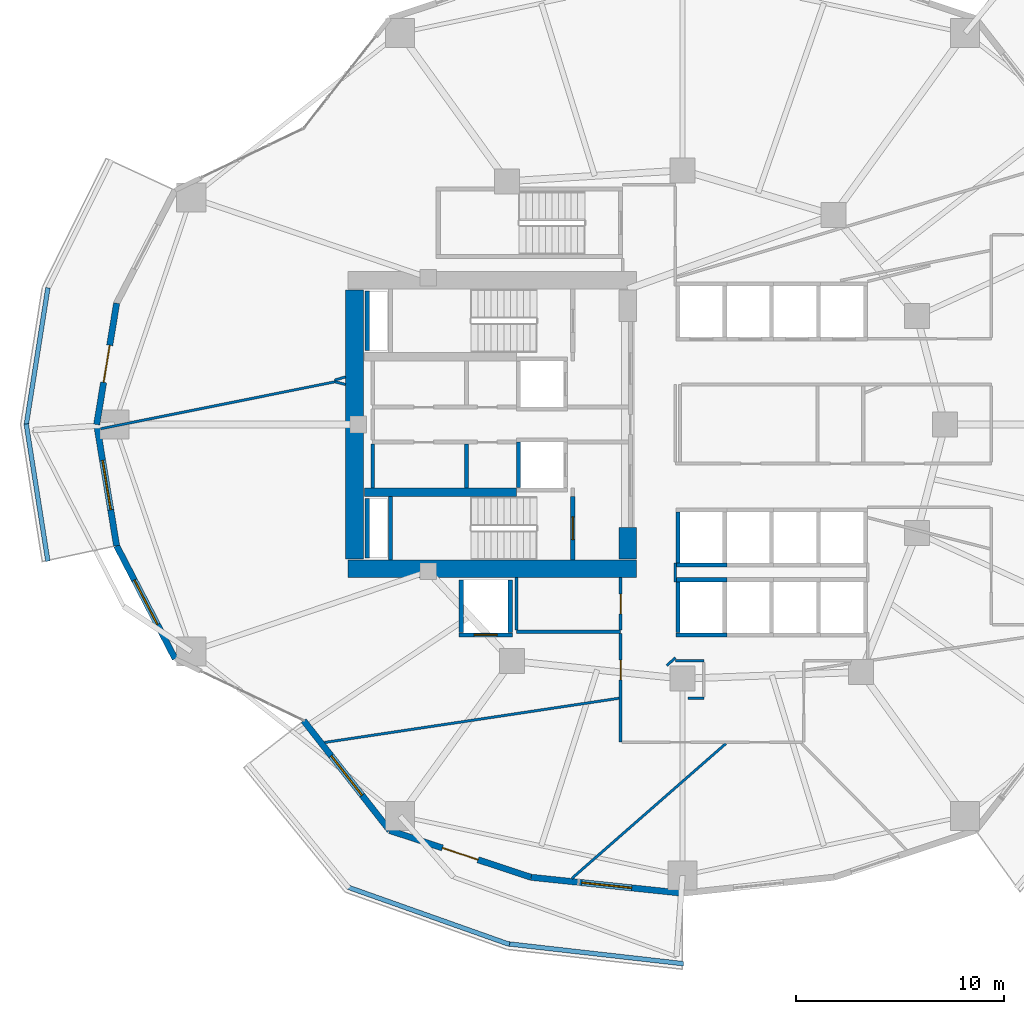
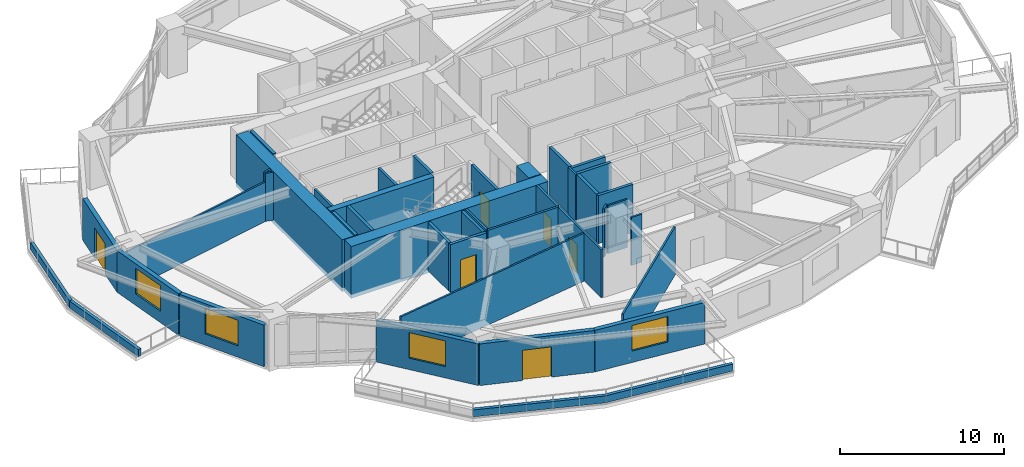
# One storey, part 6 of 14: 42 walls, 6 doors, 4 windows, 10 openings.
"""IFC4 building model written with IfcOpenShell, lengths in metres."""

from ifc_helpers import new_model, si_unit, direction, frame, frame_2d, origin, place, context, subcontext, project, spatial, rectangle, extrude, material, layer, layer_set, type_object, element, fill, save


model = new_model("IFC4")

# Units and contexts
model_context = context("Model", 3, precision=1e-05, world=origin(), true_north=direction((0.0, 1.0)))
body_context = subcontext(model_context, "Body", "Model", "MODEL_VIEW")
ifc_project = project(units=[si_unit("LENGTHUNIT", "METRE"), si_unit("AREAUNIT", "SQUARE_METRE"), si_unit("VOLUMEUNIT", "CUBIC_METRE"), si_unit("PLANEANGLEUNIT", "RADIAN"), si_unit("MASSUNIT", "GRAM", prefix="KILO")], contexts=[model_context])

# Site, building, storey
site_placement = place(None, origin())
site = spatial("IfcSite", under=ifc_project, at=site_placement, CompositionType="ELEMENT")
building_placement = place(site_placement, origin())
building = spatial("IfcBuilding", under=site, at=building_placement, Name="Kolvaren Gate Tower and Convention Centre", CompositionType="ELEMENT")
storey_placement = place(building_placement, frame((0.0, 0.0, 45.75)))
storey = spatial("IfcBuildingStorey", under=building, at=storey_placement, Name="L10", CompositionType="ELEMENT", Elevation=45.75)

# Walls
ifc_material_1 = material(Name="Autoclaved Aerated Masonry Blockwork Class 4 (4.0 MPa)", Category="masonry")
ifc_layer_1 = layer(ifc_material_1, 0.179931640625)
ifc_layer_set_1 = layer_set([ifc_layer_1], Name="Autoclaved Aerated Masonry Blockwork Class 4 (4.0 MPa)")
wall_type_1 = type_object("IfcWallType", Name="ARCH-WL-COMP-180", PredefinedType="SOLIDWALL", material=ifc_layer_set_1)
wall_1_placement = place(storey_placement, frame((19.75, 23.9619140625, 0.0), z_axis=(0.0, 0.0, 1.0), x_axis=(0.0, 1.0, 0.0)))
element("IfcWall", 1, at=wall_1_placement, inside=storey, type_object=wall_type_1, Name="Interior Partition WL-L10-INT-007", PredefinedType="SOLIDWALL", context=body_context, shape_type="SweptSolid", body=[
    extrude(rectangle(XDim=2.106201171875, YDim=0.179931640625, at=frame_2d((1.05322265625, 0.0))), origin(), (0.0, 0.0, 1.0), 3.570068359375),
])
ifc_material_2 = material(Name="Fire-Rated Acoustic Gypsum Stud Partition", Category="gypsum")
ifc_layer_2 = layer(ifc_material_2, 0.1201171875)
ifc_layer_set_2 = layer_set([ifc_layer_2], Name="Fire-Rated Acoustic Gypsum Stud Partition")
wall_type_2 = type_object("IfcWallType", Name="ARCH-WL-PART-120", PredefinedType="PARTITIONING", material=ifc_layer_set_2)
wall_2_placement = place(storey_placement, frame((29.780029296875, 15.64990234375, 0.0), z_axis=(0.0, 0.0, 1.0), x_axis=(1.0, 0.0, 0.0)))
element("IfcWall", 2, at=wall_2_placement, inside=storey, type_object=wall_type_2, Name="Interior Partition WL-L10-INT-017", PredefinedType="PARTITIONING", context=body_context, shape_type="SweptSolid", body=[
    extrude(rectangle(XDim=1.369873046875, YDim=0.1201171875, at=frame_2d((0.68505859375, 0.0))), origin(), (0.0, 0.0, 1.0), 3.570068359375),
])
wall_3_placement = place(storey_placement, frame((29.780029296875, 19.43994140625, 0.0), z_axis=(0.0, 0.0, 1.0), x_axis=(0.0, 1.0, 0.0)))
element("IfcWall", 3, at=wall_3_placement, inside=storey, type_object=wall_type_2, Name="Interior Partition WL-L10-INT-023", PredefinedType="PARTITIONING", context=body_context, shape_type="SweptSolid", body=[
    extrude(rectangle(XDim=0.920166015625, YDim=0.1201171875, at=frame_2d((0.4599609375, 0.0))), origin(), (0.0, 0.0, 1.0), 3.570068359375),
])
wall_4_placement = place(storey_placement, frame((29.366943359375, 15.422119140625, 0.0), z_axis=(0.0, 0.0, 1.0), x_axis=(0.730667420492, 0.682733564893, 0.0)))
element("IfcWall", 4, at=wall_4_placement, inside=storey, type_object=wall_type_2, Name="Interior Partition WL-L10-INT-039", PredefinedType="PARTITIONING", context=body_context, shape_type="SweptSolid", body=[
    extrude(rectangle(XDim=0.5654296875, YDim=0.1201171875, at=frame_2d((0.28271484375, 0.0))), origin(), (0.0, 0.0, 1.0), 3.570068359375),
])
wall_5_placement = place(storey_placement, frame((30.39111328125, 13.85009765625, 0.0), z_axis=(0.0, 0.0, 1.0), x_axis=(1.0, 0.0, 0.0)))
element("IfcWall", 5, at=wall_5_placement, inside=storey, type_object=wall_type_2, Name="Interior Partition WL-L10-INT-040", PredefinedType="PARTITIONING", context=body_context, shape_type="SweptSolid", body=[
    extrude(rectangle(XDim=0.7587890625, YDim=0.1201171875, at=frame_2d((0.37939453125, 0.0))), origin(), (0.0, 0.0, 1.0), 3.570068359375),
])
wall_6_placement = place(storey_placement, frame((2.1875, 26.796142578125, 0.0), z_axis=(0.0, 0.0, 1.0), x_axis=(0.980506966672, 0.196484320768, 0.0)))
element("IfcWall", 6, at=wall_6_placement, inside=storey, type_object=wall_type_2, Name="Interior Partition WL-L10-INT-042", PredefinedType="PARTITIONING", context=body_context, shape_type="SweptSolid", body=[
    extrude(rectangle(XDim=11.47607421875, YDim=0.1201171875, at=frame_2d((5.738037109375, 0.0))), origin(), (0.0, 0.0, 1.0), 2.93408203125),
])
wall_7_placement = place(storey_placement, frame((13.43994140625, 29.051025390625, 0.0), z_axis=(0.0, 0.0, 1.0), x_axis=(0.968953319551, -0.24724373507, 0.0)))
element("IfcWall", 7, at=wall_7_placement, inside=storey, type_object=wall_type_2, Name="Interior Partition WL-L10-INT-045", PredefinedType="PARTITIONING", context=body_context, shape_type="SweptSolid", body=[
    extrude(rectangle(XDim=0.5244140625, YDim=0.1201171875, at=frame_2d((0.26220703125, 0.0))), origin(), (0.0, 0.0, 1.0), 3.570068359375),
])
wall_8_placement = place(storey_placement, frame((12.948974609375, 11.73828125, 0.0), z_axis=(0.0, 0.0, 1.0), x_axis=(0.988910760152, 0.148510970826, 0.0)))
element("IfcWall", 8, at=wall_8_placement, inside=storey, type_object=wall_type_2, Name="Interior Partition WL-L10-INT-048", PredefinedType="PARTITIONING", context=body_context, shape_type="SweptSolid", body=[
    extrude(rectangle(XDim=14.282470703125, YDim=0.1201171875, at=frame_2d((7.14111328125, 0.0))), origin(), (0.0, 0.0, 1.0), 3.570068359375),
])
wall_9_placement = place(storey_placement, frame((24.810791015625, 5.212646484375, 0.0), z_axis=(0.0, 0.0, 1.0), x_axis=(0.752447459414, 0.658652276107, 0.0)))
element("IfcWall", 9, at=wall_9_placement, inside=storey, type_object=wall_type_2, Name="Interior Partition WL-L10-INT-050", PredefinedType="PARTITIONING", context=body_context, shape_type="SweptSolid", body=[
    extrude(rectangle(XDim=9.831298828125, YDim=0.1201171875, at=frame_2d((4.91552734375, 0.0))), origin(), (0.0, 0.0, 1.0), 3.570068359375),
])
wall_10_placement = place(storey_placement, frame((13.424072265625, 29.13037109375, 0.0), z_axis=(0.0, 0.0, 1.0), x_axis=(0.957801713673, 0.287429778008, 0.0)))
element("IfcWall", 10, at=wall_10_placement, inside=storey, type_object=wall_type_2, Name="Interior Partition WL-L10-INT-055", PredefinedType="PARTITIONING", context=body_context, shape_type="SweptSolid", body=[
    extrude(rectangle(XDim=0.547119140625, YDim=0.1201171875, at=frame_2d((0.2734375, 0.0))), origin(), (0.0, 0.0, 1.0), 3.570068359375),
])
ifc_material_3 = material(Name="Piedmont Cream Honed Limestone Cladding", Category="masonry")
ifc_layer_3 = layer(ifc_material_3, 0.219970703125)
ifc_layer_set_3 = layer_set([ifc_layer_3], Name="Piedmont Cream Honed Limestone Cladding")
wall_type_3 = type_object("IfcWallType", Name="ARCH-WL-PLANTER-220", PredefinedType="PARAPET", material=ifc_layer_set_3)
for number, where, z_axis, x_axis, name in (
    (11, (-1.381591796875, 26.970703125, 0.0), (0.0, 0.0, 1.0), (0.155842315528, 0.987781945923, 0.0), "Vertical-Forest Balcony Stone Planter Kerb PK-L10-2.2"),
    (12, (-1.381591796875, 27.029296875, 0.0), (0.0, 0.0, 1.0), (0.155842315528, -0.987781945923, 0.0), "Vertical-Forest Balcony Stone Planter Kerb PK-L10-2.3"),
):
    element("IfcWall", number, at=place(storey_placement, frame(where, z_axis=z_axis, x_axis=x_axis)), inside=storey, type_object=wall_type_3, Name=name, PredefinedType="PARAPET", context=body_context, shape_type="SweptSolid", body=[
        extrude(rectangle(XDim=6.672119140625, YDim=0.219970703125, at=frame_2d((3.3359375, 0.0))), origin(), (0.0, 0.0, 1.0), 0.52001953125),
    ])
wall_11_placement = place(storey_placement, frame((14.04931640625, 4.79541015625, 0.0), z_axis=(0.0, 0.0, 1.0), x_axis=(0.942581348797, -0.333976647237, 0.0)))
element("IfcWall", 13, at=wall_11_placement, inside=storey, type_object=wall_type_3, Name="Vertical-Forest Balcony Stone Planter Kerb PK-L10-3.2", PredefinedType="PARAPET", context=body_context, shape_type="SweptSolid", body=[
    extrude(rectangle(XDim=8.235595703125, YDim=0.219970703125, at=frame_2d((4.11767578125, 0.0))), origin(), (0.0, 0.0, 1.0), 0.52001953125),
])
wall_12_placement = place(storey_placement, frame((21.728759765625, 2.072509765625, 0.0), z_axis=(0.0, 0.0, 1.0), x_axis=(0.993644541351, -0.112563428535, 0.0)))
element("IfcWall", 14, at=wall_12_placement, inside=storey, type_object=wall_type_3, Name="Vertical-Forest Balcony Stone Planter Kerb PK-L10-3.3", PredefinedType="PARAPET", context=body_context, shape_type="SweptSolid", body=[
    extrude(rectangle(XDim=8.49560546875, YDim=0.219970703125, at=frame_2d((4.247802734375, 0.0))), origin(), (0.0, 0.0, 1.0), 0.52001953125),
])
ifc_layer_4 = layer(ifc_material_1, 0.199951171875)
ifc_layer_set_4 = layer_set([ifc_layer_4], Name="Autoclaved Aerated Masonry Blockwork Class 4 (4.0 MPa)")
wall_type_4 = type_object("IfcWallType", Name="ARCH-WL-SHAFT-200", PredefinedType="SOLIDWALL", material=ifc_layer_set_4)
wall_13_placement = place(storey_placement, frame((22.25, 23.969970703125, 0.0), z_axis=(0.0, 0.0, 1.0), x_axis=(0.0, 1.0, 0.0)))
element("IfcWall", 15, at=wall_13_placement, inside=storey, type_object=wall_type_4, Name="Elevator FF-02 L10 Fire Shaft Wall W", PredefinedType="SOLIDWALL", context=body_context, shape_type="SweptSolid", body=[
    extrude(rectangle(XDim=2.179931640625, YDim=0.199951171875, at=frame_2d((1.08984375, 0.0))), origin(), (0.0, 0.0, 1.0), 3.570068359375),
])

# Wall, opening, door
wall_14_placement = place(storey_placement, frame((19.39990234375, 16.89990234375, 0.0), z_axis=(0.0, 0.0, 1.0), x_axis=(1.0, 0.0, 0.0)))
wall_14 = element("IfcWall", 16, at=wall_14_placement, inside=storey, type_object=wall_type_4, Name="Elevator SV-01 L10 Fire Shaft Wall S", PredefinedType="SOLIDWALL", context=body_context, shape_type="SweptSolid", body=[
    extrude(rectangle(XDim=2.550048828125, YDim=0.199951171875, at=frame_2d((1.27490234375, 0.0))), origin(), (0.0, 0.0, 1.0), 3.570068359375),
])
opening_1_placement = place(wall_14_placement, frame((0.72509765625, 0.0, 0.0)))
opening_1 = element("IfcOpeningElement", 17, at=opening_1_placement, cuts=wall_14, Name="Opening LD", PredefinedType="OPENING", context=body_context, shape_type="SweptSolid", body=[
    extrude(rectangle(XDim=1.10009765625, YDim=2.199951171875, at=frame_2d((0.550048828125, 1.10009765625))), frame((0.0, 0.10986328125, 0.0), z_axis=(0.0, -1.0, 0.0), x_axis=(1.0, 0.0, 0.0)), (0.0, 0.0, 1.0), 0.219970703125),
])
ifc_material_4 = material(Name="Brushed Stainless Steel Grade 316L", Category="steel")
door_type_1 = type_object("IfcDoorType", Name="ARCH-DR-LIFT-1100", OperationType="SLIDING_TO_LEFT", PredefinedType="DOOR", material=ifc_material_4)
door_1_placement = place(opening_1_placement, origin())
door_1 = element("IfcDoor", 18, at=door_1_placement, inside=storey, type_object=door_type_1, Name="Elevator SV-01 L10 Sliding Landing Door", OperationType="SLIDING_TO_LEFT", OverallHeight=2.199951171875, OverallWidth=1.10009765625, PredefinedType="DOOR", context=body_context, shape_type="SweptSolid", body=[
    extrude(rectangle(XDim=1.10009765625, YDim=2.199951171875, at=frame_2d((0.550048828125, 1.10009765625))), frame((0.0, 0.02490234375, 0.0), z_axis=(0.0, -1.0, 0.0), x_axis=(1.0, 0.0, 0.0)), (0.0, 0.0, 1.0), 0.050048828125),
])
fill(opening_1, door_1)

# Walls
for number, where, z_axis, x_axis, name in (
    (19, (19.5, 17.010009765625, 0.0), (0.0, 0.0, 1.0), (0.0, 1.0, 0.0), "Elevator SV-01 L10 Fire Shaft Wall W"),
    (20, (21.85009765625, 17.010009765625, 0.0), (0.0, 0.0, 1.0), (0.0, 1.0, 0.0), "Elevator SV-01 L10 Fire Shaft Wall E"),
):
    element("IfcWall", number, at=place(storey_placement, frame(where, z_axis=z_axis, x_axis=x_axis)), inside=storey, type_object=wall_type_4, Name=name, PredefinedType="SOLIDWALL", context=body_context, shape_type="SweptSolid", body=[
        extrude(rectangle(XDim=2.530029296875, YDim=0.199951171875, at=frame_2d((1.26513671875, 0.0))), origin(), (0.0, 0.0, 1.0), 3.570068359375),
    ])
for number, where, z_axis, x_axis, name in (
    (21, (29.800048828125, 19.550048828125, 0.0), (0.0, 0.0, 1.0), (1.0, 0.0, 0.0), "Elevator PL-05 L10 Fire Shaft Wall N"),
    (22, (29.800048828125, 16.89990234375, 0.0), (0.0, 0.0, 1.0), (1.0, 0.0, 0.0), "Elevator PL-05 L10 Fire Shaft Wall S"),
):
    element("IfcWall", number, at=place(storey_placement, frame(where, z_axis=z_axis, x_axis=x_axis)), inside=storey, type_object=wall_type_4, Name=name, PredefinedType="SOLIDWALL", context=body_context, shape_type="SweptSolid", body=[
        extrude(rectangle(XDim=2.449951171875, YDim=0.199951171875, at=frame_2d((1.22509765625, 0.0))), origin(), (0.0, 0.0, 1.0), 3.570068359375),
    ])
wall_15_placement = place(storey_placement, frame((29.89990234375, 17.010009765625, 0.0), z_axis=(0.0, 0.0, 1.0), x_axis=(0.0, 1.0, 0.0)))
element("IfcWall", 23, at=wall_15_placement, inside=storey, type_object=wall_type_4, Name="Elevator PL-05 L10 Fire Shaft Wall W", PredefinedType="SOLIDWALL", context=body_context, shape_type="SweptSolid", body=[
    extrude(rectangle(XDim=2.429931640625, YDim=0.199951171875, at=frame_2d((1.21484375, 0.0))), origin(), (0.0, 0.0, 1.0), 3.570068359375),
])
wall_16_placement = place(storey_placement, frame((29.800048828125, 20.25, 0.0), z_axis=(0.0, 0.0, 1.0), x_axis=(1.0, 0.0, 0.0)))
element("IfcWall", 24, at=wall_16_placement, inside=storey, type_object=wall_type_4, Name="Elevator PL-09 L10 Fire Shaft Wall S", PredefinedType="SOLIDWALL", context=body_context, shape_type="SweptSolid", body=[
    extrude(rectangle(XDim=2.449951171875, YDim=0.199951171875, at=frame_2d((1.22509765625, 0.0))), origin(), (0.0, 0.0, 1.0), 3.570068359375),
])
wall_17_placement = place(storey_placement, frame((29.89990234375, 20.360107421875, 0.0), z_axis=(0.0, 0.0, 1.0), x_axis=(0.0, 1.0, 0.0)))
element("IfcWall", 25, at=wall_17_placement, inside=storey, type_object=wall_type_4, Name="Elevator PL-09 L10 Fire Shaft Wall W", PredefinedType="SOLIDWALL", context=body_context, shape_type="SweptSolid", body=[
    extrude(rectangle(XDim=2.429931640625, YDim=0.199951171875, at=frame_2d((1.21484375, 0.0))), origin(), (0.0, 0.0, 1.0), 3.570068359375),
])
for number, where, z_axis, x_axis, name in (
    (26, (14.989990234375, 30.550048828125, 0.0), (0.0, 0.0, 1.0), (0.0, 1.0, 0.0), "Vertical Shaft HVR L10 EI-120 Enclosure Wall W"),
    (27, (14.989990234375, 20.60009765625, 0.0), (0.0, 0.0, 1.0), (0.0, 1.0, 0.0), "Vertical Shaft MPR L10 EI-120 Enclosure Wall W"),
):
    element("IfcWall", number, at=place(storey_placement, frame(where, z_axis=z_axis, x_axis=x_axis)), inside=storey, type_object=wall_type_4, Name=name, PredefinedType="SOLIDWALL", context=body_context, shape_type="SweptSolid", body=[
        extrude(rectangle(XDim=2.849853515625, YDim=0.199951171875, at=frame_2d((1.4248046875, 0.0))), origin(), (0.0, 0.0, 1.0), 3.570068359375),
    ])

# Wall, opening, door
ifc_layer_5 = layer(ifc_material_3, 0.300048828125)
ifc_layer_set_5 = layer_set([ifc_layer_5], Name="Piedmont Cream Honed Limestone Cladding")
wall_type_5 = type_object("IfcWallType", Name="ARCH-WL-STONE-300", PredefinedType="SOLIDWALL", material=ifc_layer_set_5)
wall_18_placement = place(storey_placement, frame((2.0, 27.0, 0.0), z_axis=(0.0, 0.0, 1.0), x_axis=(0.162366057843, 0.98673059305, 0.0)))
wall_18 = element("IfcWall", 28, at=wall_18_placement, inside=storey, type_object=wall_type_5, Name="Tower L10 Honed Stone Spandrel Wall EW-11", PredefinedType="SOLIDWALL", context=body_context, shape_type="SweptSolid", body=[
    extrude(rectangle(XDim=5.90185546875, YDim=0.300048828125, at=frame_2d((2.950927734375, 0.0))), origin(), (0.0, 0.0, 1.0), 3.093017578125),
])
opening_2_placement = place(wall_18_placement, frame((2.051025390625, 0.0, 0.0)))
opening_2 = element("IfcOpeningElement", 29, at=opening_2_placement, cuts=wall_18, Name="Opening DB-01", PredefinedType="OPENING", context=body_context, shape_type="SweptSolid", body=[
    extrude(rectangle(XDim=1.800048828125, YDim=2.25, at=frame_2d((0.89990234375, 1.125))), frame((0.0, 0.159912109375, 0.0), z_axis=(0.0, -1.0, 0.0), x_axis=(1.0, 0.0, 0.0)), (0.0, 0.0, 1.0), 0.320068359375),
])
ifc_material_5 = material(Name="Anodized Architectural Aluminium Alloy 6063-T6", Category="aluminium")
door_type_2 = type_object("IfcDoorType", Name="ARCH-DR-BALC-1800", OperationType="SLIDING_TO_LEFT", PredefinedType="DOOR", material=ifc_material_5)
door_2_placement = place(opening_2_placement, origin())
door_2 = element("IfcDoor", 30, at=door_2_placement, inside=storey, type_object=door_type_2, Name="Planted Sky Terrace Access Door DB-L10-11", OperationType="SLIDING_TO_LEFT", OverallHeight=2.25, OverallWidth=1.800048828125, PredefinedType="DOOR", context=body_context, shape_type="SweptSolid", body=[
    extrude(rectangle(XDim=1.800048828125, YDim=2.25, at=frame_2d((0.89990234375, 1.125))), frame((0.0, 0.02490234375, 0.0), z_axis=(0.0, -1.0, 0.0), x_axis=(1.0, 0.0, 0.0)), (0.0, 0.0, 1.0), 0.050048828125),
])
fill(opening_2, door_2)

# Wall, opening, window
wall_19_placement = place(storey_placement, frame((2.0, 27.0, 0.0), z_axis=(0.0, 0.0, 1.0), x_axis=(0.162366057843, -0.98673059305, 0.0)))
wall_19 = element("IfcWall", 31, at=wall_19_placement, inside=storey, type_object=wall_type_5, Name="Tower L10 Honed Stone Spandrel Wall EW-12", PredefinedType="SOLIDWALL", context=body_context, shape_type="SweptSolid", body=[
    extrude(rectangle(XDim=5.90185546875, YDim=0.300048828125, at=frame_2d((2.950927734375, 0.0))), origin(), (0.0, 0.0, 1.0), 3.093017578125),
])
opening_3_placement = place(wall_19_placement, frame((1.7509765625, 0.0, 0.85009765625)))
opening_3 = element("IfcOpeningElement", 32, at=opening_3_placement, cuts=wall_19, Name="Opening W-01", PredefinedType="OPENING", context=body_context, shape_type="SweptSolid", body=[
    extrude(rectangle(XDim=2.39990234375, YDim=1.89990234375, at=frame_2d((1.199951171875, 0.949951171875))), frame((0.0, 0.159912109375, 0.0), z_axis=(0.0, -1.0, 0.0), x_axis=(1.0, 0.0, 0.0)), (0.0, 0.0, 1.0), 0.320068359375),
])
ifc_material_6 = material(Name="Low-E Triple Insulated Glazing Unit 44 mm", Category="glass")
window_type = type_object("IfcWindowType", Name="ARCH-WN-OFF-2400", PartitioningType="SINGLE_PANEL", PredefinedType="WINDOW", material=ifc_material_6)
window_1_placement = place(opening_3_placement, origin())
window_1 = element("IfcWindow", 33, at=window_1_placement, inside=storey, type_object=window_type, Name="Tower L10 Punched Stone Facade Window W-12", OverallHeight=1.89990234375, OverallWidth=2.39990234375, PartitioningType="SINGLE_PANEL", PredefinedType="WINDOW", context=body_context, shape_type="SweptSolid", body=[
    extrude(rectangle(XDim=2.39990234375, YDim=1.89990234375, at=frame_2d((1.199951171875, 0.949951171875))), frame((0.0, 0.030029296875, 0.0), z_axis=(0.0, -1.0, 0.0), x_axis=(1.0, 0.0, 0.0)), (0.0, 0.0, 1.0), 0.06005859375),
])
fill(opening_3, window_1)

wall_20_placement = place(storey_placement, frame((2.958251953125, 21.176513671875, 0.0), z_axis=(0.0, 0.0, 1.0), x_axis=(0.459809804413, -0.88801742312, 0.0)))
wall_20 = element("IfcWall", 34, at=wall_20_placement, inside=storey, type_object=wall_type_5, Name="Tower L10 Honed Stone Spandrel Wall EW-13", PredefinedType="SOLIDWALL", context=body_context, shape_type="SweptSolid", body=[
    extrude(rectangle(XDim=6.11083984375, YDim=0.300048828125, at=frame_2d((3.055419921875, 0.0))), origin(), (0.0, 0.0, 1.0), 3.093017578125),
])
opening_4_placement = place(wall_20_placement, frame((1.85498046875, 0.0, 0.85009765625)))
opening_4 = element("IfcOpeningElement", 35, at=opening_4_placement, cuts=wall_20, Name="Opening W-01", PredefinedType="OPENING", context=body_context, shape_type="SweptSolid", body=[
    extrude(rectangle(XDim=2.39990234375, YDim=1.89990234375, at=frame_2d((1.199951171875, 0.949951171875))), frame((0.0, 0.159912109375, 0.0), z_axis=(0.0, -1.0, 0.0), x_axis=(1.0, 0.0, 0.0)), (0.0, 0.0, 1.0), 0.320068359375),
])
window_2_placement = place(opening_4_placement, origin())
window_2 = element("IfcWindow", 36, at=window_2_placement, inside=storey, type_object=window_type, Name="Tower L10 Punched Stone Facade Window W-13", OverallHeight=1.89990234375, OverallWidth=2.39990234375, PartitioningType="SINGLE_PANEL", PredefinedType="WINDOW", context=body_context, shape_type="SweptSolid", body=[
    extrude(rectangle(XDim=2.39990234375, YDim=1.89990234375, at=frame_2d((1.199951171875, 0.949951171875))), frame((0.0, 0.030029296875, 0.0), z_axis=(0.0, -1.0, 0.0), x_axis=(1.0, 0.0, 0.0)), (0.0, 0.0, 1.0), 0.06005859375),
])
fill(opening_4, window_2)

wall_21_placement = place(storey_placement, frame((11.934814453125, 12.787109375, 0.0), z_axis=(0.0, 0.0, 1.0), x_axis=(0.616421309777, -0.787416515482, 0.0)))
wall_21 = element("IfcWall", 37, at=wall_21_placement, inside=storey, type_object=wall_type_5, Name="Tower L10 Honed Stone Spandrel Wall EW-15", PredefinedType="SOLIDWALL", context=body_context, shape_type="SweptSolid", body=[
    extrude(rectangle(XDim=6.6962890625, YDim=0.300048828125, at=frame_2d((3.34814453125, 0.0))), origin(), (0.0, 0.0, 1.0), 3.093017578125),
])
opening_5_placement = place(wall_21_placement, frame((2.14794921875, 0.0, 0.85009765625)))
opening_5 = element("IfcOpeningElement", 38, at=opening_5_placement, cuts=wall_21, Name="Opening W-01", PredefinedType="OPENING", context=body_context, shape_type="SweptSolid", body=[
    extrude(rectangle(XDim=2.39990234375, YDim=1.89990234375, at=frame_2d((1.199951171875, 0.949951171875))), frame((0.0, 0.159912109375, 0.0), z_axis=(0.0, -1.0, 0.0), x_axis=(1.0, 0.0, 0.0)), (0.0, 0.0, 1.0), 0.320068359375),
])
window_3_placement = place(opening_5_placement, origin())
window_3 = element("IfcWindow", 39, at=window_3_placement, inside=storey, type_object=window_type, Name="Tower L10 Punched Stone Facade Window W-15", OverallHeight=1.89990234375, OverallWidth=2.39990234375, PartitioningType="SINGLE_PANEL", PredefinedType="WINDOW", context=body_context, shape_type="SweptSolid", body=[
    extrude(rectangle(XDim=2.39990234375, YDim=1.89990234375, at=frame_2d((1.199951171875, 0.949951171875))), frame((0.0, 0.030029296875, 0.0), z_axis=(0.0, -1.0, 0.0), x_axis=(1.0, 0.0, 0.0)), (0.0, 0.0, 1.0), 0.06005859375),
])
fill(opening_5, window_3)

# Wall, opening, door
wall_22_placement = place(storey_placement, frame((16.0625, 7.514404296875, 0.0), z_axis=(0.0, 0.0, 1.0), x_axis=(0.949238715533, -0.31455661006, 0.0)))
wall_22 = element("IfcWall", 40, at=wall_22_placement, inside=storey, type_object=wall_type_5, Name="Tower L10 Honed Stone Spandrel Wall EW-16", PredefinedType="SOLIDWALL", context=body_context, shape_type="SweptSolid", body=[
    extrude(rectangle(XDim=7.14599609375, YDim=0.300048828125, at=frame_2d((3.572998046875, 0.0))), origin(), (0.0, 0.0, 1.0), 3.093017578125),
])
opening_6_placement = place(wall_22_placement, frame((2.673095703125, 0.0, 0.0)))
opening_6 = element("IfcOpeningElement", 41, at=opening_6_placement, cuts=wall_22, Name="Opening DB-01", PredefinedType="OPENING", context=body_context, shape_type="SweptSolid", body=[
    extrude(rectangle(XDim=1.800048828125, YDim=2.25, at=frame_2d((0.89990234375, 1.125))), frame((0.0, 0.159912109375, 0.0), z_axis=(0.0, -1.0, 0.0), x_axis=(1.0, 0.0, 0.0)), (0.0, 0.0, 1.0), 0.320068359375),
])
door_3_placement = place(opening_6_placement, frame((1.800048828125, 0.0, 0.0), z_axis=(0.0, 0.0, 1.0), x_axis=(-1.0, 0.0, 0.0)))
door_3 = element("IfcDoor", 42, at=door_3_placement, inside=storey, type_object=door_type_2, Name="Planted Sky Terrace Access Door DB-L10-16", OperationType="SLIDING_TO_LEFT", OverallHeight=2.25, OverallWidth=1.800048828125, PredefinedType="DOOR", context=body_context, shape_type="SweptSolid", body=[
    extrude(rectangle(XDim=1.800048828125, YDim=2.25, at=frame_2d((0.89990234375, 1.125))), frame((0.0, 0.02490234375, 0.0), z_axis=(0.0, -1.0, 0.0), x_axis=(1.0, 0.0, 0.0)), (0.0, 0.0, 1.0), 0.050048828125),
])
fill(opening_6, door_3)

# Wall, opening, window
wall_23_placement = place(storey_placement, frame((22.845703125, 5.2666015625, 0.0), z_axis=(0.0, 0.0, 1.0), x_axis=(0.994500334317, -0.104733399844, 0.0)))
wall_23 = element("IfcWall", 43, at=wall_23_placement, inside=storey, type_object=wall_type_5, Name="Tower L10 Honed Stone Spandrel Wall EW-17", PredefinedType="SOLIDWALL", context=body_context, shape_type="SweptSolid", body=[
    extrude(rectangle(XDim=7.319580078125, YDim=0.300048828125, at=frame_2d((3.65966796875, 0.0))), origin(), (0.0, 0.0, 1.0), 3.093017578125),
])
opening_7_placement = place(wall_23_placement, frame((2.4599609375, 0.0, 0.85009765625)))
opening_7 = element("IfcOpeningElement", 44, at=opening_7_placement, cuts=wall_23, Name="Opening W-01", PredefinedType="OPENING", context=body_context, shape_type="SweptSolid", body=[
    extrude(rectangle(XDim=2.39990234375, YDim=1.89990234375, at=frame_2d((1.199951171875, 0.949951171875))), frame((0.0, 0.159912109375, 0.0), z_axis=(0.0, -1.0, 0.0), x_axis=(1.0, 0.0, 0.0)), (0.0, 0.0, 1.0), 0.320068359375),
])
window_4_placement = place(opening_7_placement, origin())
window_4 = element("IfcWindow", 45, at=window_4_placement, inside=storey, type_object=window_type, Name="Tower L10 Punched Stone Facade Window W-17", OverallHeight=1.89990234375, OverallWidth=2.39990234375, PartitioningType="SINGLE_PANEL", PredefinedType="WINDOW", context=body_context, shape_type="SweptSolid", body=[
    extrude(rectangle(XDim=2.39990234375, YDim=1.89990234375, at=frame_2d((1.199951171875, 0.949951171875))), frame((0.0, 0.030029296875, 0.0), z_axis=(0.0, -1.0, 0.0), x_axis=(1.0, 0.0, 0.0)), (0.0, 0.0, 1.0), 0.06005859375),
])
fill(opening_7, window_4)

# Walls
ifc_material_7 = material(Name="Moisture-Resistant Cement-Board Acoustic Partition", Category="gypsum")
ifc_layer_6 = layer(ifc_material_7, 0.14990234375)
ifc_layer_set_6 = layer_set([ifc_layer_6], Name="Moisture-Resistant Cement-Board Acoustic Partition")
wall_type_6 = type_object("IfcWallType", Name="ARCH-WL-WET-150", PredefinedType="PARTITIONING", material=ifc_layer_set_6)
wall_24_placement = place(storey_placement, frame((15.25, 23.9619140625, 0.0), z_axis=(0.0, 0.0, 1.0), x_axis=(0.0, 1.0, 0.0)))
element("IfcWall", 46, at=wall_24_placement, inside=storey, type_object=wall_type_6, Name="Interior Partition WL-L10-INT-006", PredefinedType="PARTITIONING", context=body_context, shape_type="SweptSolid", body=[
    extrude(rectangle(XDim=2.106201171875, YDim=0.14990234375, at=frame_2d((1.05322265625, 0.0))), origin(), (0.0, 0.0, 1.0), 3.570068359375),
])
wall_25_placement = place(storey_placement, frame((22.14990234375, 17.050048828125, 0.0), z_axis=(0.0, 0.0, 1.0), x_axis=(1.0, 0.0, 0.0)))
element("IfcWall", 47, at=wall_25_placement, inside=storey, type_object=wall_type_6, Name="Interior Partition WL-L10-INT-009", PredefinedType="PARTITIONING", context=body_context, shape_type="SweptSolid", body=[
    extrude(rectangle(XDim=5.0, YDim=0.14990234375, at=frame_2d((2.5, 0.0))), origin(), (0.0, 0.0, 1.0), 3.570068359375),
])
wall_26_placement = place(storey_placement, frame((22.14990234375, 17.126953125, 0.0), z_axis=(0.0, 0.0, 1.0), x_axis=(0.0, 1.0, 0.0)))
element("IfcWall", 48, at=wall_26_placement, inside=storey, type_object=wall_type_6, Name="Interior Partition WL-L10-INT-010", PredefinedType="PARTITIONING", context=body_context, shape_type="SweptSolid", body=[
    extrude(rectangle(XDim=2.52099609375, YDim=0.14990234375, at=frame_2d((1.260498046875, 0.0))), origin(), (0.0, 0.0, 1.0), 3.570068359375),
])

# Wall, opening, door
wall_27_placement = place(storey_placement, frame((27.14990234375, 11.75, 0.0), z_axis=(0.0, 0.0, 1.0), x_axis=(0.0, 1.0, 0.0)))
wall_27 = element("IfcWall", 49, at=wall_27_placement, inside=storey, type_object=wall_type_6, Name="Interior Partition WL-L10-INT-011", PredefinedType="PARTITIONING", context=body_context, shape_type="SweptSolid", body=[
    extrude(rectangle(XDim=5.222900390625, YDim=0.14990234375, at=frame_2d((2.611328125, 0.0))), origin(), (0.0, 0.0, 1.0), 3.570068359375),
])
opening_8_placement = place(wall_27_placement, frame((2.99072265625, 0.0, 0.0)))
opening_8 = element("IfcOpeningElement", 50, at=opening_8_placement, cuts=wall_27, Name="Opening DR-01", PredefinedType="OPENING", context=body_context, shape_type="SweptSolid", body=[
    extrude(rectangle(XDim=0.949951171875, YDim=2.10009765625, at=frame_2d((0.47509765625, 1.050048828125))), frame((0.0, 0.0849609375, 0.0), z_axis=(0.0, -1.0, 0.0), x_axis=(1.0, 0.0, 0.0)), (0.0, 0.0, 1.0), 0.169921875),
])
ifc_material_8 = material(Name="Painted Architectural Steelwork ASTM A500 Grade C 345 MPa", Category="steel")
door_type_3 = type_object("IfcDoorType", Name="ARCH-DR-RISER-950", OperationType="SINGLE_SWING_RIGHT", PredefinedType="DOOR", material=ifc_material_8)
door_4_placement = place(opening_8_placement, origin())
door_4 = element("IfcDoor", 51, at=door_4_placement, inside=storey, type_object=door_type_3, Name="Staff Dining and Bistro Cafe Door", OperationType="SINGLE_SWING_RIGHT", OverallHeight=2.10009765625, OverallWidth=0.949951171875, PredefinedType="DOOR", context=body_context, shape_type="SweptSolid", body=[
    extrude(rectangle(XDim=0.949951171875, YDim=2.10009765625, at=frame_2d((0.47509765625, 1.050048828125))), frame((0.0, 0.02490234375, 0.0), z_axis=(0.0, -1.0, 0.0), x_axis=(1.0, 0.0, 0.0)), (0.0, 0.0, 1.0), 0.050048828125),
])
fill(opening_8, door_4)

wall_28_placement = place(storey_placement, frame((27.14990234375, 17.126953125, 0.0), z_axis=(0.0, 0.0, 1.0), x_axis=(0.0, 1.0, 0.0)))
wall_28 = element("IfcWall", 52, at=wall_28_placement, inside=storey, type_object=wall_type_6, Name="Interior Partition WL-L10-INT-011 (2)", PredefinedType="PARTITIONING", context=body_context, shape_type="SweptSolid", body=[
    extrude(rectangle(XDim=2.52099609375, YDim=0.14990234375, at=frame_2d((1.260498046875, 0.0))), origin(), (0.0, 0.0, 1.0), 3.570068359375),
])
opening_9_placement = place(wall_28_placement, frame((0.785400390625, 0.0, 0.0)))
opening_9 = element("IfcOpeningElement", 53, at=opening_9_placement, cuts=wall_28, Name="Opening DR-01", PredefinedType="OPENING", context=body_context, shape_type="SweptSolid", body=[
    extrude(rectangle(XDim=0.949951171875, YDim=2.10009765625, at=frame_2d((0.47509765625, 1.050048828125))), frame((0.0, 0.0849609375, 0.0), z_axis=(0.0, -1.0, 0.0), x_axis=(1.0, 0.0, 0.0)), (0.0, 0.0, 1.0), 0.169921875),
])
door_5_placement = place(opening_9_placement, origin())
door_5 = element("IfcDoor", 54, at=door_5_placement, inside=storey, type_object=door_type_3, Name="West Linen and Supply Store Door", OperationType="SINGLE_SWING_LEFT", OverallHeight=2.10009765625, OverallWidth=0.949951171875, PredefinedType="DOOR", context=body_context, shape_type="SweptSolid", body=[
    extrude(rectangle(XDim=0.949951171875, YDim=2.10009765625, at=frame_2d((0.47509765625, 1.050048828125))), frame((0.0, 0.02490234375, 0.0), z_axis=(0.0, -1.0, 0.0), x_axis=(1.0, 0.0, 0.0)), (0.0, 0.0, 1.0), 0.050048828125),
])
fill(opening_9, door_5)

# Walls
ifc_material_9 = material(Name="Concrete C50/60", Category="concrete")
ifc_layer_7 = layer(ifc_material_9, 0.419921875)
ifc_layer_set_7 = layer_set([ifc_layer_7], Name="Concrete C50/60")
wall_type_7 = type_object("IfcWallType", Name="STR-WL-CONV-420", PredefinedType="SHEAR", material=ifc_layer_set_7)
wall_29_placement = place(storey_placement, frame((14.85009765625, 23.75, -0.280029296875), z_axis=(0.0, 0.0, 1.0), x_axis=(1.0, 0.0, 0.0)))
element("IfcWall", 55, at=wall_29_placement, inside=storey, type_object=wall_type_7, Name="Tower L10 Offset Core Shear Wall WS", PredefinedType="SHEAR", context=body_context, shape_type="SweptSolid", body=[
    extrude(rectangle(XDim=7.2998046875, YDim=0.419921875, at=frame_2d((3.64990234375, 0.0))), origin(), (0.0, 0.0, 1.0), 3.85009765625),
])
ifc_material_10 = material(Name="Concrete C70/85", Category="concrete")
ifc_layer_8 = layer(ifc_material_10, 0.85009765625)
ifc_layer_set_8 = layer_set([ifc_layer_8], Name="Concrete C70/85")
wall_type_8 = type_object("IfcWallType", Name="STR-WL-CORE-850", PredefinedType="SHEAR", material=ifc_layer_set_8)
wall_30_placement = place(storey_placement, frame((14.074951171875, 20.074951171875, -0.280029296875), z_axis=(0.0, 0.0, 1.0), x_axis=(1.0, 0.0, 0.0)))
element("IfcWall", 56, at=wall_30_placement, inside=storey, type_object=wall_type_8, Name="Tower L10 Offset Core Shear Wall S", PredefinedType="SHEAR", context=body_context, shape_type="SweptSolid", body=[
    extrude(rectangle(XDim=13.85009765625, YDim=0.85009765625, at=frame_2d((6.925048828125, 0.0))), origin(), (0.0, 0.0, 1.0), 3.85009765625),
])
wall_31_placement = place(storey_placement, frame((14.375, 20.550048828125, -0.280029296875), z_axis=(0.0, 0.0, 1.0), x_axis=(0.0, 1.0, 0.0)))
element("IfcWall", 57, at=wall_31_placement, inside=storey, type_object=wall_type_8, Name="Tower L10 Offset Core Shear Wall W", PredefinedType="SHEAR", context=body_context, shape_type="SweptSolid", body=[
    extrude(rectangle(XDim=12.89990234375, YDim=0.85009765625, at=frame_2d((6.449951171875, 0.0))), origin(), (0.0, 0.0, 1.0), 3.85009765625),
])
wall_32_placement = place(storey_placement, frame((27.5, 20.550048828125, -0.280029296875), z_axis=(0.0, 0.0, 1.0), x_axis=(0.0, 1.0, 0.0)))
element("IfcWall", 58, at=wall_32_placement, inside=storey, type_object=wall_type_8, Name="Tower L10 Offset Core Shear Wall ES", PredefinedType="SHEAR", context=body_context, shape_type="SweptSolid", body=[
    extrude(rectangle(XDim=1.5, YDim=0.85009765625, at=frame_2d((0.75, 0.0))), origin(), (0.0, 0.0, 1.0), 3.85009765625),
])

# Wall, opening, door
ifc_layer_9 = layer(ifc_material_9, 0.199951171875)
ifc_layer_set_9 = layer_set([ifc_layer_9], Name="Concrete C50/60")
wall_type_9 = type_object("IfcWallType", Name="STR-WL-SHAFT-200", PredefinedType="SHEAR", material=ifc_layer_set_9)
wall_33_placement = place(storey_placement, frame((24.85009765625, 20.501953125, -0.280029296875), z_axis=(0.0, 0.0, 1.0), x_axis=(0.0, 1.0, 0.0)))
wall_33 = element("IfcWall", 59, at=wall_33_placement, inside=storey, type_object=wall_type_9, Name="Tower South Exit Stair ST-T2 L10 Structural Shear Enclosure Wall NEAR", PredefinedType="SHEAR", context=body_context, shape_type="SweptSolid", body=[
    extrude(rectangle(XDim=3.0380859375, YDim=0.199951171875, at=frame_2d((1.51904296875, 0.0))), origin(), (0.0, 0.0, 1.0), 3.85009765625),
])
opening_10_placement = place(wall_33_placement, frame((0.968994140625, 0.0, 0.280029296875)))
opening_10 = element("IfcOpeningElement", 60, at=opening_10_placement, cuts=wall_33, Name="Opening DS-01", PredefinedType="OPENING", context=body_context, shape_type="SweptSolid", body=[
    extrude(rectangle(XDim=1.10009765625, YDim=2.14990234375, at=frame_2d((0.550048828125, 1.074951171875))), frame((0.0, 0.10986328125, 0.0), z_axis=(0.0, -1.0, 0.0), x_axis=(1.0, 0.0, 0.0)), (0.0, 0.0, 1.0), 0.219970703125),
])
door_type_4 = type_object("IfcDoorType", Name="ARCH-DR-STAIR-1100", OperationType="SINGLE_SWING_LEFT", PredefinedType="DOOR", material=ifc_material_8)
door_6_placement = place(opening_10_placement, origin())
door_6 = element("IfcDoor", 61, at=door_6_placement, inside=storey, type_object=door_type_4, Name="Tower South Exit Stair ST-T2 L10 Fire Exit Stair Door", OperationType="SINGLE_SWING_RIGHT", OverallHeight=2.14990234375, OverallWidth=1.10009765625, PredefinedType="DOOR", context=body_context, shape_type="SweptSolid", body=[
    extrude(rectangle(XDim=1.10009765625, YDim=2.14990234375, at=frame_2d((0.550048828125, 1.074951171875))), frame((0.0, 0.02490234375, 0.0), z_axis=(0.0, -1.0, 0.0), x_axis=(1.0, 0.0, 0.0)), (0.0, 0.0, 1.0), 0.050048828125),
])
fill(opening_10, door_6)

# Wall
wall_34_placement = place(storey_placement, frame((16.10009765625, 20.501953125, -0.280029296875), z_axis=(0.0, 0.0, 1.0), x_axis=(0.0, 1.0, 0.0)))
element("IfcWall", 62, at=wall_34_placement, inside=storey, type_object=wall_type_9, Name="Tower South Exit Stair ST-T2 L10 Structural Shear Enclosure Wall FAR", PredefinedType="SHEAR", context=body_context, shape_type="SweptSolid", body=[
    extrude(rectangle(XDim=3.0361328125, YDim=0.199951171875, at=frame_2d((1.51806640625, 0.0))), origin(), (0.0, 0.0, 1.0), 3.85009765625),
])

save(model, "model.ifc")
